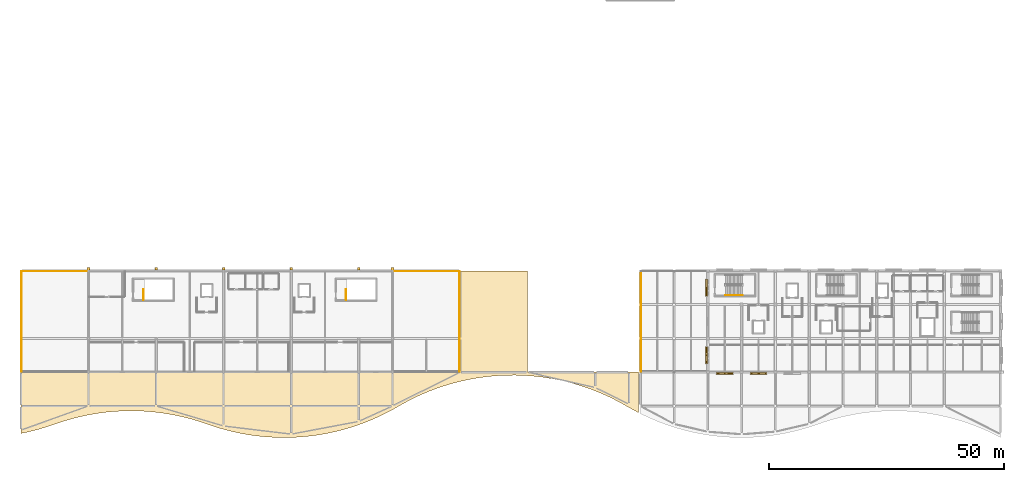
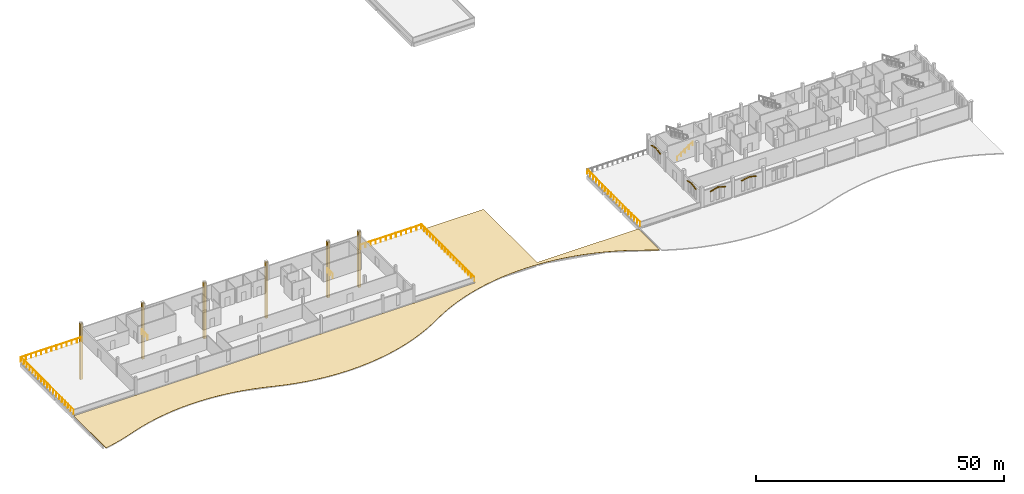
# One storey, part 16 of 23: 15 coverings, 8 railings.
"""IFC4 building model written with IfcOpenShell, lengths in metres."""

from ifc_helpers import new_model, si_unit, direction, frame, origin, origin_2d, place, context, subcontext, project, spatial, polyline, circle, outline, extrude, material, layer, layer_set, type_object, element, save


model = new_model("IFC4")

# Units and contexts
model_context = context("Model", 3, precision=1e-05, world=origin(), true_north=direction((0.0, 1.0)))
body_context = subcontext(model_context, "Body", "Model", "MODEL_VIEW")
ifc_project = project(units=[si_unit("LENGTHUNIT", "METRE"), si_unit("AREAUNIT", "SQUARE_METRE"), si_unit("VOLUMEUNIT", "CUBIC_METRE"), si_unit("PLANEANGLEUNIT", "RADIAN"), si_unit("MASSUNIT", "GRAM", prefix="KILO")], contexts=[model_context])

# Site, building, storey
site_placement = place(None, origin())
site = spatial("IfcSite", under=ifc_project, at=site_placement, CompositionType="ELEMENT")
building_placement = place(site_placement, origin())
building = spatial("IfcBuilding", under=site, at=building_placement, Name="Cendralis Lancet Convention Centre", CompositionType="ELEMENT")
storey_placement = place(building_placement, frame((0.0, 0.0, 19.800048828125)))
storey = spatial("IfcBuildingStorey", under=building, at=storey_placement, Name="L04", CompositionType="ELEMENT", Elevation=19.800048828125)

# Coverings
ifc_material_1 = material(Name="Warm buff sandstone chevron cassette", Category="masonry")
ifc_layer_1 = layer(ifc_material_1, 0.06005859375, Name="Warm buff sandstone chevron cassette")
ifc_layer_set_1 = layer_set([ifc_layer_1], Name="Warm buff sandstone chevron cassette")
covering_type_1 = type_object("IfcCoveringType", Name="ARC-CV-CLAD1", PredefinedType="CLADDING", material=ifc_layer_set_1)
covering_1_placement = place(storey_placement, frame((0.0, 0.0, -9.60009765625)))
element("IfcCovering", 1, at=covering_1_placement, inside=storey, type_object=covering_type_1, Name="Gothic Stepped Stone Buttress Shaft #0068", PredefinedType="CLADDING", context=body_context, shape_type="SweptSolid", body=[
    extrude(outline(polyline([(14.679931640625, 36.659912109375), (14.1201171875, 36.659912109375), (14.1201171875, 36.1298828125), (14.679931640625, 36.1298828125), (14.679931640625, 36.659912109375)])), origin(), (0.0, 0.0, 1.0), 13.75),
])
covering_2_placement = place(storey_placement, frame((0.0, 0.0, -9.60009765625)))
element("IfcCovering", 2, at=covering_2_placement, inside=storey, type_object=covering_type_1, Name="Gothic Stepped Stone Buttress Shaft #0069", PredefinedType="CLADDING", context=body_context, shape_type="SweptSolid", body=[
    extrude(outline(polyline([(29.080078125, 36.659912109375), (28.52001953125, 36.659912109375), (28.52001953125, 36.1298828125), (29.080078125, 36.1298828125), (29.080078125, 36.659912109375)])), origin(), (0.0, 0.0, 1.0), 13.75),
])
covering_3_placement = place(storey_placement, frame((0.0, 0.0, -9.60009765625)))
element("IfcCovering", 3, at=covering_3_placement, inside=storey, type_object=covering_type_1, Name="Gothic Stepped Stone Buttress Shaft #0070", PredefinedType="CLADDING", context=body_context, shape_type="SweptSolid", body=[
    extrude(outline(polyline([(43.47998046875, 36.659912109375), (42.919921875, 36.659912109375), (42.919921875, 36.1298828125), (43.47998046875, 36.1298828125), (43.47998046875, 36.659912109375)])), origin(), (0.0, 0.0, 1.0), 13.75),
])
covering_4_placement = place(storey_placement, frame((0.0, 0.0, -9.60009765625)))
element("IfcCovering", 4, at=covering_4_placement, inside=storey, type_object=covering_type_1, Name="Gothic Stepped Stone Buttress Shaft #0071", PredefinedType="CLADDING", context=body_context, shape_type="SweptSolid", body=[
    extrude(outline(polyline([(57.8798828125, 36.659912109375), (57.320068359375, 36.659912109375), (57.320068359375, 36.1298828125), (57.8798828125, 36.1298828125), (57.8798828125, 36.659912109375)])), origin(), (0.0, 0.0, 1.0), 13.75),
])
covering_5_placement = place(storey_placement, frame((0.0, 0.0, -9.60009765625)))
element("IfcCovering", 5, at=covering_5_placement, inside=storey, type_object=covering_type_1, Name="Gothic Stepped Stone Buttress Shaft #0072", PredefinedType="CLADDING", context=body_context, shape_type="SweptSolid", body=[
    extrude(outline(polyline([(72.280029296875, 36.659912109375), (71.719970703125, 36.659912109375), (71.719970703125, 36.1298828125), (72.280029296875, 36.1298828125), (72.280029296875, 36.659912109375)])), origin(), (0.0, 0.0, 1.0), 13.75),
])
covering_6_placement = place(storey_placement, frame((0.0, 0.0, -9.60009765625)))
element("IfcCovering", 6, at=covering_6_placement, inside=storey, type_object=covering_type_1, Name="Gothic Stepped Stone Buttress Shaft #0073", PredefinedType="CLADDING", context=body_context, shape_type="SweptSolid", body=[
    extrude(outline(polyline([(79.47998046875, 36.659912109375), (78.919921875, 36.659912109375), (78.919921875, 36.1298828125), (79.47998046875, 36.1298828125), (79.47998046875, 36.659912109375)])), origin(), (0.0, 0.0, 1.0), 13.75),
])
for number, where, z_axis, x_axis, name in (
    (7, (151.800048828125, 13.989990234375, 3.27001953125), (0.261446137658, 0.0, 0.965218067125), (0.0, 1.0, 0.0), "L04 Gothic Pointed Lancet Hood-Mould #0407L"),
    (8, (149.989990234375, 13.989990234375, 3.7548828125), (-0.261446137658, 0.0, 0.965218067125), (0.0, 1.0, 0.0), "L04 Gothic Pointed Lancet Hood-Mould #0408R"),
):
    element("IfcCovering", number, at=place(storey_placement, frame(where, z_axis=z_axis, x_axis=x_axis)), inside=storey, type_object=covering_type_1, Name=name, PredefinedType="CLADDING", context=body_context, shape_type="SweptSolid", body=[
        extrude(outline(polyline([(0.0, 0.0), (0.284912109375, 0.0), (0.284912109375, 1.854543676158746), (0.0, 1.854543676158746), (0.0, 0.0)])), origin(), (0.0, 0.0, -1.0), 0.090087890625),
    ])
for number, where, z_axis, x_axis, name in (
    (9, (158.93994140625, 13.989990234375, 3.369873046875), (0.21723674536, 0.0, 0.976118945859), (0.0, 1.0, 0.0), "L04 Gothic Pointed Lancet Hood-Mould #0411L"),
    (10, (157.18994140625, 13.989990234375, 3.7548828125), (-0.21723674536, 0.0, 0.976118945859), (0.0, 1.0, 0.0), "L04 Gothic Pointed Lancet Hood-Mould #0412R"),
):
    element("IfcCovering", number, at=place(storey_placement, frame(where, z_axis=z_axis, x_axis=x_axis)), inside=storey, type_object=covering_type_1, Name=name, PredefinedType="CLADDING", context=body_context, shape_type="SweptSolid", body=[
        extrude(outline(polyline([(0.0, 0.0), (0.284912109375, 0.0), (0.284912109375, 1.7723049799295516), (0.0, 1.7723049799295516), (0.0, 0.0)])), origin(), (0.0, 0.0, -1.0), 0.090087890625),
    ])
for number, where, z_axis, x_axis, name in (
    (11, (145.989990234375, 16.199951171875, 3.27001953125), (0.0, -0.210275726475, 0.977642122075), (1.0, 0.0, 0.0), "L04 Gothic Pointed Lancet Hood-Mould #0429L"),
    (12, (145.989990234375, 18.010009765625, 3.655029296875), (0.0, 0.210275726475, 0.977642122075), (1.0, 0.0, 0.0), "L04 Gothic Pointed Lancet Hood-Mould #0430R"),
):
    element("IfcCovering", number, at=place(storey_placement, frame(where, z_axis=z_axis, x_axis=x_axis)), inside=storey, type_object=covering_type_1, Name=name, PredefinedType="CLADDING", context=body_context, shape_type="SweptSolid", body=[
        extrude(outline(polyline([(0.0, 0.0), (0.284912109375, 0.0), (0.284912109375, 1.830975795826503), (0.0, 1.830975795826503), (0.0, 0.0)])), origin(), (0.0, 0.0, -1.0), 0.090087890625),
    ])
covering_7_placement = place(storey_placement, frame((145.989990234375, 30.60009765625, 3.27001953125), z_axis=(0.0, -0.210303141068, 0.977636225217), x_axis=(1.0, 0.0, 0.0)))
element("IfcCovering", 13, at=covering_7_placement, inside=storey, type_object=covering_type_1, Name="L04 Gothic Pointed Lancet Hood-Mould #0435L", PredefinedType="CLADDING", context=body_context, shape_type="SweptSolid", body=[
    extrude(outline(polyline([(0.0, 0.0), (0.284912109375, 0.0), (0.284912109375, 1.8307371143875775), (0.0, 1.8307371143875775), (0.0, 0.0)])), origin(), (0.0, 0.0, -1.0), 0.090087890625),
])
covering_8_placement = place(storey_placement, frame((145.989990234375, 32.409912109375, 3.655029296875), z_axis=(0.0, 0.210275726475, 0.977642122075), x_axis=(1.0, 0.0, 0.0)))
element("IfcCovering", 14, at=covering_8_placement, inside=storey, type_object=covering_type_1, Name="L04 Gothic Pointed Lancet Hood-Mould #0436R", PredefinedType="CLADDING", context=body_context, shape_type="SweptSolid", body=[
    extrude(outline(polyline([(0.0, 0.0), (0.284912109375, 0.0), (0.284912109375, 1.830975795826503), (0.0, 1.830975795826503), (0.0, 0.0)])), origin(), (0.0, 0.0, -1.0), 0.090087890625),
])
ifc_material_2 = material(Name="Elastomeric waterproof roof membrane")
ifc_layer_2 = layer(ifc_material_2, 0.050048828125, Name="Elastomeric waterproof roof membrane")
ifc_layer_set_2 = layer_set([ifc_layer_2], Name="Elastomeric waterproof roof membrane")
covering_type_2 = type_object("IfcCoveringType", Name="ARC-CV-MEMB", PredefinedType="ROOFING", material=ifc_layer_set_2)
covering_9_placement = place(storey_placement, frame((0.0, 0.0, -0.35009765625)))
element("IfcCovering", 15, at=covering_9_placement, inside=storey, type_object=covering_type_2, Name="L04 Elastomeric Roof Membrane V4WAV", PredefinedType="ROOFING", context=body_context, shape_type="SweptSolid", body=[
    extrude(outline(polyline([(0.0, 1.324951171875), (2.02490234375, 1.762939453125), (4.050048828125, 2.2939453125), (6.075927734375, 2.9208984375), (8.10107421875, 3.6259765625), (10.1259765625, 4.260009765625), (12.15087890625, 4.798095703125), (14.177001953125, 5.242919921875), (16.201904296875, 5.597900390625), (18.22705078125, 5.864013671875), (20.251953125, 6.04296875), (22.278076171875, 6.135009765625), (24.302978515625, 6.14306640625), (26.327880859375, 6.06396484375), (28.35302734375, 5.89990234375), (30.3779296875, 5.64892578125), (32.404052734375, 5.31005859375), (34.428955078125, 4.8798828125), (36.4541015625, 4.35791015625), (38.47900390625, 3.739990234375), (40.5048828125, 3.035888671875), (42.530029296875, 2.39306640625), (44.554931640625, 1.845947265625), (46.580078125, 1.39306640625), (48.60595703125, 1.030029296875), (50.631103515625, 0.757080078125), (52.656005859375, 0.570068359375), (54.680908203125, 0.468994140625), (56.7060546875, 0.455078125), (58.73193359375, 0.52490234375), (60.757080078125, 0.680908203125), (62.781982421875, 0.925048828125), (64.806884765625, 1.256103515625), (66.8330078125, 1.677001953125), (68.85791015625, 2.19091796875), (70.883056640625, 2.800048828125), (72.907958984375, 3.508056640625), (74.93408203125, 4.321044921875), (76.958984375, 5.243896484375), (78.98388671875, 6.283935546875), (81.009033203125, 7.43896484375), (83.033935546875, 8.531005859375), (85.06005859375, 9.5029296875), (87.0849609375, 10.361083984375), (89.110107421875, 11.113037109375), (91.135009765625, 11.763916015625), (93.160888671875, 12.318115234375), (95.18603515625, 12.777099609375), (97.2109375, 13.14599609375), (99.236083984375, 13.426025390625), (101.261962890625, 13.618896484375), (103.287109375, 13.72607421875), (105.31201171875, 13.7470703125), (107.3369140625, 13.68310546875), (109.362060546875, 13.532958984375), (111.387939453125, 13.2958984375), (113.4130859375, 12.970947265625), (115.43798828125, 12.555908203125), (117.462890625, 12.050048828125), (119.489013671875, 11.447021484375), (121.513916015625, 10.74609375), (123.5390625, 9.94091796875), (125.56396484375, 9.027099609375), (127.590087890625, 7.9951171875), (129.614990234375, 6.843994140625), (131.639892578125, 5.742919921875), (131.639892578125, 14.39990234375), (108.0, 14.39990234375), (108.0, 36.0), (93.60009765625, 36.0), (93.60009765625, 14.39990234375), (0.0, 14.39990234375), (0.0, 1.324951171875)])), origin(), (0.0, 0.0, 1.0), 0.0400390625),
])

# Railings
ifc_material_3 = material(Name="Anodised bronze architectural aluminium", Category="aluminium")
railing_type_1 = type_object("IfcRailingType", Name="ARC-RL-BL01", PredefinedType="BALUSTRADE", material=ifc_material_3)
railing_1_placement = place(storey_placement, frame((132.14990234375, 14.550048828125, 0.0)))
element("IfcRailing", 16, at=railing_1_placement, inside=storey, type_object=railing_type_1, Name="L04 Terrace Guard BL-01 #08-1", PredefinedType="BALUSTRADE", context=body_context, shape_type="SweptSolid", body=[
    extrude(circle(Radius=0.02392578125, at=origin_2d()), frame((0.0, 0.0, 1.076171875), z_axis=(0.0, 1.0, 0.0), x_axis=(-1.0, 0.0, 0.0)), (0.0, 0.0, 1.0), 21.329833984375),
    extrude(circle(Radius=0.02099609375, at=origin_2d()), origin(), (0.0, 0.0, 1.0), 1.052001953125),
    extrude(circle(Radius=0.02099609375, at=origin_2d()), frame((0.0, 1.18505859375, 0.0)), (0.0, 0.0, 1.0), 1.052001953125),
    extrude(circle(Radius=0.02099609375, at=origin_2d()), frame((0.0, 2.369873046875, 0.0)), (0.0, 0.0, 1.0), 1.052001953125),
    extrude(circle(Radius=0.02099609375, at=origin_2d()), frame((0.0, 3.554931640625, 0.0)), (0.0, 0.0, 1.0), 1.052001953125),
    extrude(circle(Radius=0.02099609375, at=origin_2d()), frame((0.0, 4.739990234375, 0.0)), (0.0, 0.0, 1.0), 1.052001953125),
    extrude(circle(Radius=0.02099609375, at=origin_2d()), frame((0.0, 5.925048828125, 0.0)), (0.0, 0.0, 1.0), 1.052001953125),
    extrude(circle(Radius=0.02099609375, at=origin_2d()), frame((0.0, 7.10986328125, 0.0)), (0.0, 0.0, 1.0), 1.052001953125),
    extrude(circle(Radius=0.02099609375, at=origin_2d()), frame((0.0, 8.294921875, 0.0)), (0.0, 0.0, 1.0), 1.052001953125),
    extrude(circle(Radius=0.02099609375, at=origin_2d()), frame((0.0, 9.47998046875, 0.0)), (0.0, 0.0, 1.0), 1.052001953125),
    extrude(circle(Radius=0.02099609375, at=origin_2d()), frame((0.0, 10.6650390625, 0.0)), (0.0, 0.0, 1.0), 1.052001953125),
    extrude(circle(Radius=0.02099609375, at=origin_2d()), frame((0.0, 11.849853515625, 0.0)), (0.0, 0.0, 1.0), 1.052001953125),
    extrude(circle(Radius=0.02099609375, at=origin_2d()), frame((0.0, 13.034912109375, 0.0)), (0.0, 0.0, 1.0), 1.052001953125),
    extrude(circle(Radius=0.02099609375, at=origin_2d()), frame((0.0, 14.219970703125, 0.0)), (0.0, 0.0, 1.0), 1.052001953125),
    extrude(circle(Radius=0.02099609375, at=origin_2d()), frame((0.0, 15.40478515625, 0.0)), (0.0, 0.0, 1.0), 1.052001953125),
    extrude(circle(Radius=0.02099609375, at=origin_2d()), frame((0.0, 16.58984375, 0.0)), (0.0, 0.0, 1.0), 1.052001953125),
    extrude(circle(Radius=0.02099609375, at=origin_2d()), frame((0.0, 17.77490234375, 0.0)), (0.0, 0.0, 1.0), 1.052001953125),
    extrude(circle(Radius=0.02099609375, at=origin_2d()), frame((0.0, 18.9599609375, 0.0)), (0.0, 0.0, 1.0), 1.052001953125),
    extrude(circle(Radius=0.02099609375, at=origin_2d()), frame((0.0, 20.144775390625, 0.0)), (0.0, 0.0, 1.0), 1.052001953125),
    extrude(circle(Radius=0.02099609375, at=origin_2d()), frame((0.0, 21.329833984375, 0.0)), (0.0, 0.0, 1.0), 1.052001953125),
])
ifc_material_4 = material(Name="Steel S355", Category="steel")
railing_type_2 = type_object("IfcRailingType", Name="ARC-RL-CGD", PredefinedType="GUARDRAIL", material=ifc_material_4)
for number, where, name in (
    (17, (26.10009765625, 29.800048828125, 0.0), "L04 ST-11 top well guard 1"),
    (18, (69.300048828125, 29.800048828125, 0.0), "L04 ST-12 top well guard 1"),
):
    element("IfcRailing", number, at=place(storey_placement, frame(where)), inside=storey, type_object=railing_type_2, Name=name, PredefinedType="GUARDRAIL", context=body_context, shape_type="SweptSolid", body=[
        extrude(circle(Radius=0.02392578125, at=origin_2d()), frame((0.0, 0.0, 1.076171875), z_axis=(0.0, 1.0, 0.0), x_axis=(-1.0, 0.0, 0.0)), (0.0, 0.0, 1.0), 2.280029296875),
        extrude(circle(Radius=0.02099609375, at=origin_2d()), origin(), (0.0, 0.0, 1.0), 1.052001953125),
        extrude(circle(Radius=0.02099609375, at=origin_2d()), frame((0.0, 1.14013671875, 0.0)), (0.0, 0.0, 1.0), 1.052001953125),
        extrude(circle(Radius=0.02099609375, at=origin_2d()), frame((0.0, 2.280029296875, 0.0)), (0.0, 0.0, 1.0), 1.052001953125),
    ])
railing_type_3 = type_object("IfcRailingType", Name="ARC-RL-CHR", PredefinedType="HANDRAIL", material=ifc_material_4)
railing_2_placement = place(storey_placement, frame((150.14990234375, 30.800048828125, 0.17138671875)))
element("IfcRailing", 19, at=railing_2_placement, inside=storey, type_object=railing_type_3, Name="L04 ST-13 stair handrail 1", PredefinedType="HANDRAIL", context=body_context, shape_type="SweptSolid", body=[
    extrude(circle(Radius=0.02392578125, at=origin_2d()), frame((0.0, 0.0, 0.8759765625), z_axis=(0.83488217925, 0.0, 0.55042869363), x_axis=(0.0, 1.0, 0.0)), (0.0, 0.0, 1.0), 4.360107421875),
    extrude(circle(Radius=0.02099609375, at=origin_2d()), origin(), (0.0, 0.0, 1.0), 0.851806640625),
    extrude(circle(Radius=0.02099609375, at=origin_2d()), frame((0.91015625, 0.0, 0.60009765625)), (0.0, 0.0, 1.0), 0.851806640625),
    extrude(circle(Radius=0.02099609375, at=origin_2d()), frame((1.820068359375, 0.0, 1.199951171875)), (0.0, 0.0, 1.0), 0.851806640625),
    extrude(circle(Radius=0.02099609375, at=origin_2d()), frame((2.72998046875, 0.0, 1.7998046875)), (0.0, 0.0, 1.0), 0.851806640625),
    extrude(circle(Radius=0.02099609375, at=origin_2d()), frame((3.64013671875, 0.0, 2.39990234375)), (0.0, 0.0, 1.0), 0.851806640625),
])
railing_type_4 = type_object("IfcRailingType", Name="ARC-RL-TG01", PredefinedType="GUARDRAIL", material=ifc_material_3)
railing_3_placement = place(storey_placement, frame((0.1201171875, 14.550048828125, 0.0)))
element("IfcRailing", 20, at=railing_3_placement, inside=storey, type_object=railing_type_4, Name="L04 Terrace Guard GD-TR1 #06-1", PredefinedType="GUARDRAIL", context=body_context, shape_type="SweptSolid", body=[
    extrude(circle(Radius=0.02392578125, at=origin_2d()), frame((0.0, 0.0, 1.076171875), z_axis=(0.0, 1.0, 0.0), x_axis=(-1.0, 0.0, 0.0)), (0.0, 0.0, 1.0), 21.329833984375),
    extrude(circle(Radius=0.02099609375, at=origin_2d()), origin(), (0.0, 0.0, 1.0), 1.052001953125),
    extrude(circle(Radius=0.02099609375, at=origin_2d()), frame((0.0, 1.18505859375, 0.0)), (0.0, 0.0, 1.0), 1.052001953125),
    extrude(circle(Radius=0.02099609375, at=origin_2d()), frame((0.0, 2.369873046875, 0.0)), (0.0, 0.0, 1.0), 1.052001953125),
    extrude(circle(Radius=0.02099609375, at=origin_2d()), frame((0.0, 3.554931640625, 0.0)), (0.0, 0.0, 1.0), 1.052001953125),
    extrude(circle(Radius=0.02099609375, at=origin_2d()), frame((0.0, 4.739990234375, 0.0)), (0.0, 0.0, 1.0), 1.052001953125),
    extrude(circle(Radius=0.02099609375, at=origin_2d()), frame((0.0, 5.925048828125, 0.0)), (0.0, 0.0, 1.0), 1.052001953125),
    extrude(circle(Radius=0.02099609375, at=origin_2d()), frame((0.0, 7.10986328125, 0.0)), (0.0, 0.0, 1.0), 1.052001953125),
    extrude(circle(Radius=0.02099609375, at=origin_2d()), frame((0.0, 8.294921875, 0.0)), (0.0, 0.0, 1.0), 1.052001953125),
    extrude(circle(Radius=0.02099609375, at=origin_2d()), frame((0.0, 9.47998046875, 0.0)), (0.0, 0.0, 1.0), 1.052001953125),
    extrude(circle(Radius=0.02099609375, at=origin_2d()), frame((0.0, 10.6650390625, 0.0)), (0.0, 0.0, 1.0), 1.052001953125),
    extrude(circle(Radius=0.02099609375, at=origin_2d()), frame((0.0, 11.849853515625, 0.0)), (0.0, 0.0, 1.0), 1.052001953125),
    extrude(circle(Radius=0.02099609375, at=origin_2d()), frame((0.0, 13.034912109375, 0.0)), (0.0, 0.0, 1.0), 1.052001953125),
    extrude(circle(Radius=0.02099609375, at=origin_2d()), frame((0.0, 14.219970703125, 0.0)), (0.0, 0.0, 1.0), 1.052001953125),
    extrude(circle(Radius=0.02099609375, at=origin_2d()), frame((0.0, 15.40478515625, 0.0)), (0.0, 0.0, 1.0), 1.052001953125),
    extrude(circle(Radius=0.02099609375, at=origin_2d()), frame((0.0, 16.58984375, 0.0)), (0.0, 0.0, 1.0), 1.052001953125),
    extrude(circle(Radius=0.02099609375, at=origin_2d()), frame((0.0, 17.77490234375, 0.0)), (0.0, 0.0, 1.0), 1.052001953125),
    extrude(circle(Radius=0.02099609375, at=origin_2d()), frame((0.0, 18.9599609375, 0.0)), (0.0, 0.0, 1.0), 1.052001953125),
    extrude(circle(Radius=0.02099609375, at=origin_2d()), frame((0.0, 20.144775390625, 0.0)), (0.0, 0.0, 1.0), 1.052001953125),
    extrude(circle(Radius=0.02099609375, at=origin_2d()), frame((0.0, 21.329833984375, 0.0)), (0.0, 0.0, 1.0), 1.052001953125),
])
railing_4_placement = place(storey_placement, frame((0.1201171875, 35.8798828125, 0.0)))
element("IfcRailing", 21, at=railing_4_placement, inside=storey, type_object=railing_type_4, Name="L04 Terrace Guard GD-TR1 #06-2", PredefinedType="GUARDRAIL", context=body_context, shape_type="SweptSolid", body=[
    extrude(circle(Radius=0.02392578125, at=origin_2d()), frame((0.0, 0.0, 1.076171875), z_axis=(1.0, 0.0, 0.0), x_axis=(0.0, 1.0, 0.0)), (0.0, 0.0, 1.0), 14.22998046875),
    extrude(circle(Radius=0.02099609375, at=origin_2d()), origin(), (0.0, 0.0, 1.0), 1.052001953125),
    extrude(circle(Radius=0.02099609375, at=origin_2d()), frame((1.185791015625, 0.0, 0.0)), (0.0, 0.0, 1.0), 1.052001953125),
    extrude(circle(Radius=0.02099609375, at=origin_2d()), frame((2.37158203125, 0.0, 0.0)), (0.0, 0.0, 1.0), 1.052001953125),
    extrude(circle(Radius=0.02099609375, at=origin_2d()), frame((3.5576171875, 0.0, 0.0)), (0.0, 0.0, 1.0), 1.052001953125),
    extrude(circle(Radius=0.02099609375, at=origin_2d()), frame((4.743408203125, 0.0, 0.0)), (0.0, 0.0, 1.0), 1.052001953125),
    extrude(circle(Radius=0.02099609375, at=origin_2d()), frame((5.92919921875, 0.0, 0.0)), (0.0, 0.0, 1.0), 1.052001953125),
    extrude(circle(Radius=0.02099609375, at=origin_2d()), frame((7.114990234375, 0.0, 0.0)), (0.0, 0.0, 1.0), 1.052001953125),
    extrude(circle(Radius=0.02099609375, at=origin_2d()), frame((8.30078125, 0.0, 0.0)), (0.0, 0.0, 1.0), 1.052001953125),
    extrude(circle(Radius=0.02099609375, at=origin_2d()), frame((9.486572265625, 0.0, 0.0)), (0.0, 0.0, 1.0), 1.052001953125),
    extrude(circle(Radius=0.02099609375, at=origin_2d()), frame((10.67236328125, 0.0, 0.0)), (0.0, 0.0, 1.0), 1.052001953125),
    extrude(circle(Radius=0.02099609375, at=origin_2d()), frame((11.8583984375, 0.0, 0.0)), (0.0, 0.0, 1.0), 1.052001953125),
    extrude(circle(Radius=0.02099609375, at=origin_2d()), frame((13.044189453125, 0.0, 0.0)), (0.0, 0.0, 1.0), 1.052001953125),
    extrude(circle(Radius=0.02099609375, at=origin_2d()), frame((14.22998046875, 0.0, 0.0)), (0.0, 0.0, 1.0), 1.052001953125),
])
railing_5_placement = place(storey_placement, frame((93.47998046875, 14.550048828125, 0.0)))
element("IfcRailing", 22, at=railing_5_placement, inside=storey, type_object=railing_type_4, Name="L04 Terrace Guard GD-TR1 #07-1", PredefinedType="GUARDRAIL", context=body_context, shape_type="SweptSolid", body=[
    extrude(circle(Radius=0.02392578125, at=origin_2d()), frame((0.0, 0.0, 1.076171875), z_axis=(0.0, 1.0, 0.0), x_axis=(-1.0, 0.0, 0.0)), (0.0, 0.0, 1.0), 21.329833984375),
    extrude(circle(Radius=0.02099609375, at=origin_2d()), origin(), (0.0, 0.0, 1.0), 1.052001953125),
    extrude(circle(Radius=0.02099609375, at=origin_2d()), frame((0.0, 1.18505859375, 0.0)), (0.0, 0.0, 1.0), 1.052001953125),
    extrude(circle(Radius=0.02099609375, at=origin_2d()), frame((0.0, 2.369873046875, 0.0)), (0.0, 0.0, 1.0), 1.052001953125),
    extrude(circle(Radius=0.02099609375, at=origin_2d()), frame((0.0, 3.554931640625, 0.0)), (0.0, 0.0, 1.0), 1.052001953125),
    extrude(circle(Radius=0.02099609375, at=origin_2d()), frame((0.0, 4.739990234375, 0.0)), (0.0, 0.0, 1.0), 1.052001953125),
    extrude(circle(Radius=0.02099609375, at=origin_2d()), frame((0.0, 5.925048828125, 0.0)), (0.0, 0.0, 1.0), 1.052001953125),
    extrude(circle(Radius=0.02099609375, at=origin_2d()), frame((0.0, 7.10986328125, 0.0)), (0.0, 0.0, 1.0), 1.052001953125),
    extrude(circle(Radius=0.02099609375, at=origin_2d()), frame((0.0, 8.294921875, 0.0)), (0.0, 0.0, 1.0), 1.052001953125),
    extrude(circle(Radius=0.02099609375, at=origin_2d()), frame((0.0, 9.47998046875, 0.0)), (0.0, 0.0, 1.0), 1.052001953125),
    extrude(circle(Radius=0.02099609375, at=origin_2d()), frame((0.0, 10.6650390625, 0.0)), (0.0, 0.0, 1.0), 1.052001953125),
    extrude(circle(Radius=0.02099609375, at=origin_2d()), frame((0.0, 11.849853515625, 0.0)), (0.0, 0.0, 1.0), 1.052001953125),
    extrude(circle(Radius=0.02099609375, at=origin_2d()), frame((0.0, 13.034912109375, 0.0)), (0.0, 0.0, 1.0), 1.052001953125),
    extrude(circle(Radius=0.02099609375, at=origin_2d()), frame((0.0, 14.219970703125, 0.0)), (0.0, 0.0, 1.0), 1.052001953125),
    extrude(circle(Radius=0.02099609375, at=origin_2d()), frame((0.0, 15.40478515625, 0.0)), (0.0, 0.0, 1.0), 1.052001953125),
    extrude(circle(Radius=0.02099609375, at=origin_2d()), frame((0.0, 16.58984375, 0.0)), (0.0, 0.0, 1.0), 1.052001953125),
    extrude(circle(Radius=0.02099609375, at=origin_2d()), frame((0.0, 17.77490234375, 0.0)), (0.0, 0.0, 1.0), 1.052001953125),
    extrude(circle(Radius=0.02099609375, at=origin_2d()), frame((0.0, 18.9599609375, 0.0)), (0.0, 0.0, 1.0), 1.052001953125),
    extrude(circle(Radius=0.02099609375, at=origin_2d()), frame((0.0, 20.144775390625, 0.0)), (0.0, 0.0, 1.0), 1.052001953125),
    extrude(circle(Radius=0.02099609375, at=origin_2d()), frame((0.0, 21.329833984375, 0.0)), (0.0, 0.0, 1.0), 1.052001953125),
])
railing_6_placement = place(storey_placement, frame((93.47998046875, 35.8798828125, 0.0)))
element("IfcRailing", 23, at=railing_6_placement, inside=storey, type_object=railing_type_4, Name="L04 Terrace Guard GD-TR1 #07-2", PredefinedType="GUARDRAIL", context=body_context, shape_type="SweptSolid", body=[
    extrude(circle(Radius=0.02392578125, at=origin_2d()), frame((0.0, 0.0, 1.076171875), z_axis=(-1.0, 0.0, 0.0), x_axis=(0.0, -1.0, 0.0)), (0.0, 0.0, 1.0), 14.22998046875),
    extrude(circle(Radius=0.02099609375, at=origin_2d()), origin(), (0.0, 0.0, 1.0), 1.052001953125),
    extrude(circle(Radius=0.02099609375, at=origin_2d()), frame((-1.185791015625, 0.0, 0.0)), (0.0, 0.0, 1.0), 1.052001953125),
    extrude(circle(Radius=0.02099609375, at=origin_2d()), frame((-2.37158203125, 0.0, 0.0)), (0.0, 0.0, 1.0), 1.052001953125),
    extrude(circle(Radius=0.02099609375, at=origin_2d()), frame((-3.5576171875, 0.0, 0.0)), (0.0, 0.0, 1.0), 1.052001953125),
    extrude(circle(Radius=0.02099609375, at=origin_2d()), frame((-4.743408203125, 0.0, 0.0)), (0.0, 0.0, 1.0), 1.052001953125),
    extrude(circle(Radius=0.02099609375, at=origin_2d()), frame((-5.92919921875, 0.0, 0.0)), (0.0, 0.0, 1.0), 1.052001953125),
    extrude(circle(Radius=0.02099609375, at=origin_2d()), frame((-7.114990234375, 0.0, 0.0)), (0.0, 0.0, 1.0), 1.052001953125),
    extrude(circle(Radius=0.02099609375, at=origin_2d()), frame((-8.30078125, 0.0, 0.0)), (0.0, 0.0, 1.0), 1.052001953125),
    extrude(circle(Radius=0.02099609375, at=origin_2d()), frame((-9.486572265625, 0.0, 0.0)), (0.0, 0.0, 1.0), 1.052001953125),
    extrude(circle(Radius=0.02099609375, at=origin_2d()), frame((-10.67236328125, 0.0, 0.0)), (0.0, 0.0, 1.0), 1.052001953125),
    extrude(circle(Radius=0.02099609375, at=origin_2d()), frame((-11.8583984375, 0.0, 0.0)), (0.0, 0.0, 1.0), 1.052001953125),
    extrude(circle(Radius=0.02099609375, at=origin_2d()), frame((-13.044189453125, 0.0, 0.0)), (0.0, 0.0, 1.0), 1.052001953125),
    extrude(circle(Radius=0.02099609375, at=origin_2d()), frame((-14.22998046875, 0.0, 0.0)), (0.0, 0.0, 1.0), 1.052001953125),
])

save(model, "model.ifc")
